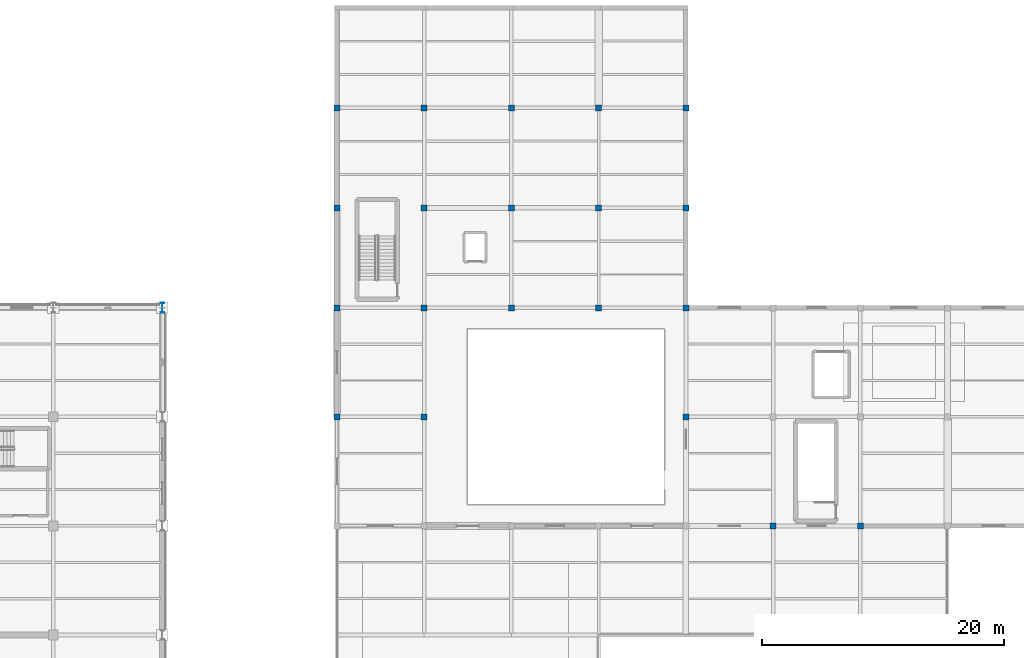
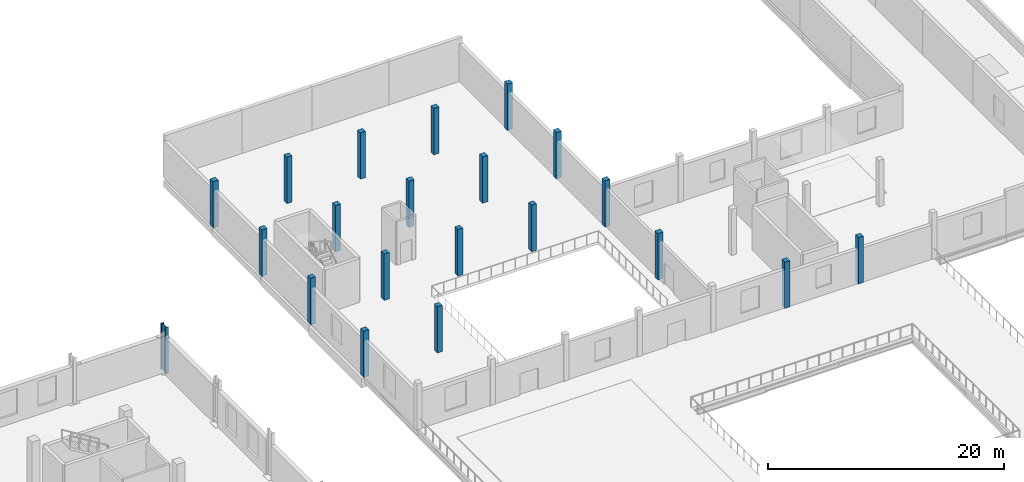
# One storey, part 7 of 54: 21 columns.
"""IFC4 building model written with IfcOpenShell, lengths in metres."""

from ifc_helpers import new_model, si_unit, direction, frame, origin, origin_2d, place, context, subcontext, project, spatial, rectangle, i_section, extrude, material, material_profile, profile_set, type_object, element, save


model = new_model("IFC4")

# Units and contexts
model_context = context("Model", 3, precision=1e-05, world=origin(), true_north=direction((0.0, 1.0)))
body_context = subcontext(model_context, "Body", "Model", "MODEL_VIEW")
ifc_project = project(units=[si_unit("LENGTHUNIT", "METRE"), si_unit("AREAUNIT", "SQUARE_METRE"), si_unit("VOLUMEUNIT", "CUBIC_METRE"), si_unit("PLANEANGLEUNIT", "RADIAN"), si_unit("MASSUNIT", "GRAM", prefix="KILO")], contexts=[model_context])

# Site, building, storey
site_placement = place(None, origin())
site = spatial("IfcSite", under=ifc_project, at=site_placement, CompositionType="ELEMENT")
building_placement = place(site_placement, origin())
building = spatial("IfcBuilding", under=site, at=building_placement, Name="Sundgate Opera House", CompositionType="ELEMENT")
storey_placement = place(building_placement, frame((0.0, 0.0, 16.800048828125)))
storey = spatial("IfcBuildingStorey", under=building, at=storey_placement, Name="L03", CompositionType="ELEMENT", Elevation=16.800048828125)

# Columns
ifc_material_1 = material(Name="Concrete C35/45", Category="concrete")
ifc_material_profile_1 = material_profile(ifc_material_1, rectangle(XDim=0.5, YDim=0.5, at=origin_2d()), Name="RC 500x500")
ifc_profile_set_1 = profile_set([ifc_material_profile_1], Name="Concrete C35/45")
column_type_1 = type_object("IfcColumnType", Name="CL-RC-500", PredefinedType="COLUMN", material=ifc_profile_set_1)
for number, where, z_axis, x_axis, name in (
    (1, (95.39990234375, 78.0, 0.0), (0.0, 0.0, 1.0), (1.0, 0.0, 0.0), "L03 Column C0666"),
    (2, (95.39990234375, 87.0, 0.0), (0.0, 0.0, 1.0), (1.0, 0.0, 0.0), "L03 Column C0672"),
    (3, (95.39990234375, 95.25, 0.0), (0.0, 0.0, 1.0), (1.0, 0.0, 0.0), "L03 Column C0678"),
    (4, (95.39990234375, 103.5, 0.0), (0.0, 0.0, 1.0), (1.0, 0.0, 0.0), "L03 Column C0684"),
    (5, (102.60009765625, 78.0, 0.0), (0.0, 0.0, 1.0), (1.0, 0.0, 0.0), "L03 Column C0730"),
    (6, (102.60009765625, 87.0, 0.0), (0.0, 0.0, 1.0), (1.0, 0.0, 0.0), "L03 Column C0736"),
    (7, (102.60009765625, 95.25, 0.0), (0.0, 0.0, 1.0), (1.0, 0.0, 0.0), "L03 Column C0742"),
    (8, (102.60009765625, 103.5, 0.0), (0.0, 0.0, 1.0), (1.0, 0.0, 0.0), "L03 Column C0748"),
    (9, (109.800048828125, 87.0, 0.0), (0.0, 0.0, 1.0), (1.0, 0.0, 0.0), "L03 Column C0797"),
    (10, (109.800048828125, 95.25, 0.0), (0.0, 0.0, 1.0), (1.0, 0.0, 0.0), "L03 Column C0803"),
    (11, (109.800048828125, 103.5, 0.0), (0.0, 0.0, 1.0), (1.0, 0.0, 0.0), "L03 Column C0809"),
    (12, (117.0, 87.0, 0.0), (0.0, 0.0, 1.0), (1.0, 0.0, 0.0), "L03 Column C0861"),
    (13, (117.0, 95.25, 0.0), (0.0, 0.0, 1.0), (1.0, 0.0, 0.0), "L03 Column C0867"),
    (14, (117.0, 103.5, 0.0), (0.0, 0.0, 1.0), (1.0, 0.0, 0.0), "L03 Column C0873"),
    (15, (124.199951171875, 78.0, 0.0), (0.0, 0.0, 1.0), (1.0, 0.0, 0.0), "L03 Column C0918"),
    (16, (124.199951171875, 87.0, 0.0), (0.0, 0.0, 1.0), (1.0, 0.0, 0.0), "L03 Column C0924"),
    (17, (124.199951171875, 95.25, 0.0), (0.0, 0.0, 1.0), (1.0, 0.0, 0.0), "L03 Column C0930"),
    (18, (124.199951171875, 103.5, 0.0), (0.0, 0.0, 1.0), (1.0, 0.0, 0.0), "L03 Column C0936"),
    (19, (131.39990234375, 69.0, 0.0), (0.0, 0.0, 1.0), (1.0, 0.0, 0.0), "L03 Column C0975"),
    (20, (138.60009765625, 69.0, 0.0), (0.0, 0.0, 1.0), (1.0, 0.0, 0.0), "L03 Column C1029"),
):
    element("IfcColumn", number, at=place(storey_placement, frame(where, z_axis=z_axis, x_axis=x_axis)), inside=storey, type_object=column_type_1, Name=name, PredefinedType="COLUMN", context=body_context, shape_type="SweptSolid", body=[
        extrude(rectangle(XDim=0.5, YDim=0.5, at=origin_2d()), origin(), (0.0, 0.0, 1.0), 4.800048828125),
    ])
ifc_material_2 = material(Name="Steel S355J2", Category="steel")
ifc_material_profile_2 = material_profile(ifc_material_2, i_section(OverallWidth=0.300048828125, OverallDepth=0.800048828125, WebThickness=0.017578125, FlangeThickness=0.032958984375, at=origin_2d()), Name="HEB 800")
ifc_profile_set_2 = profile_set([ifc_material_profile_2], Name="Steel S355J2")
column_type_2 = type_object("IfcColumnType", Name="CL-STL-800", PredefinedType="COLUMN", material=ifc_profile_set_2)
column_placement = place(storey_placement, frame((81.0, 87.0, 0.0), z_axis=(0.0, 0.0, 1.0), x_axis=(1.0, 0.0, 0.0)))
element("IfcColumn", 21, at=column_placement, inside=storey, type_object=column_type_2, Name="L03 Column C0564", PredefinedType="COLUMN", context=body_context, shape_type="SweptSolid", body=[
    extrude(i_section(OverallWidth=0.300048828125, OverallDepth=0.800048828125, WebThickness=0.017578125, FlangeThickness=0.032958984375, at=origin_2d()), origin(), (0.0, 0.0, 1.0), 4.800048828125),
])

save(model, "model.ifc")
